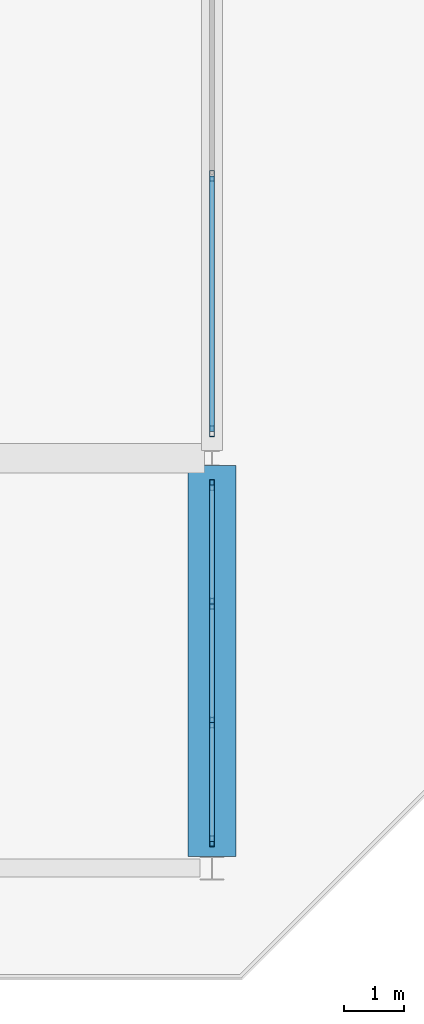
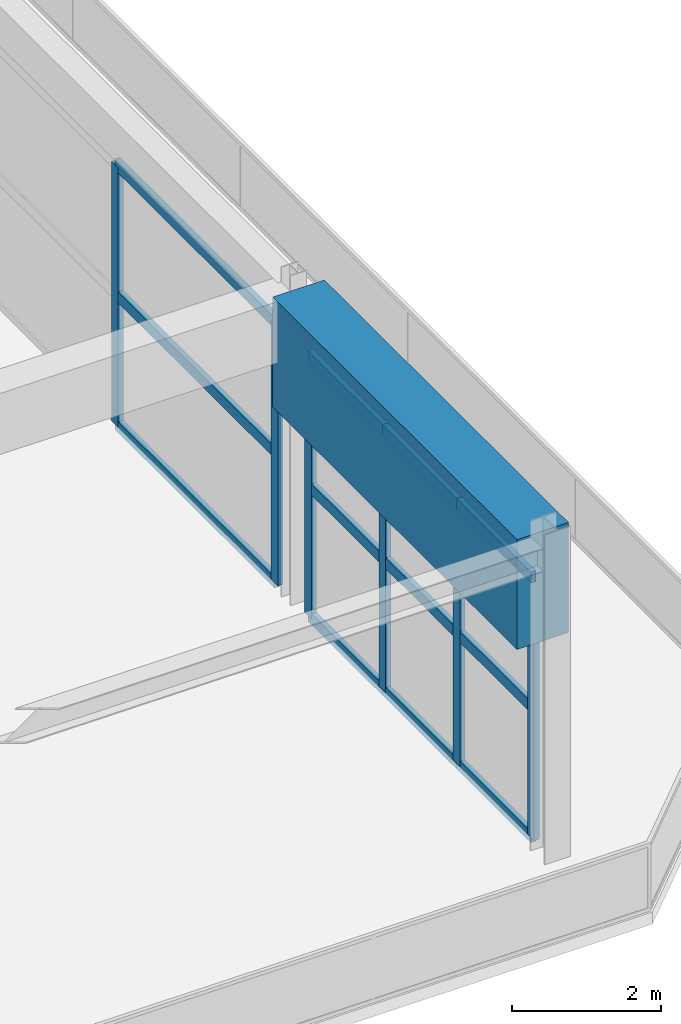
# One storey, part 52 of 117: 18 members, 1 beam, 2 elements without a shape of their own.
"""IFC4 building model written with IfcOpenShell, lengths in metres."""

from ifc_helpers import new_model, si_unit, direction, frame, origin, origin_2d, place, context, subcontext, project, spatial, rectangle, hollow_rectangle, extrude, material, material_profile, profile_set, type_object, element, aggregate, save


model = new_model("IFC4")

# Units and contexts
model_context = context("Model", 3, precision=1e-05, world=origin(), true_north=direction((0.0, 1.0)))
body_context = subcontext(model_context, "Body", "Model", "MODEL_VIEW")
ifc_project = project(units=[si_unit("LENGTHUNIT", "METRE"), si_unit("AREAUNIT", "SQUARE_METRE"), si_unit("VOLUMEUNIT", "CUBIC_METRE"), si_unit("PLANEANGLEUNIT", "RADIAN"), si_unit("MASSUNIT", "GRAM", prefix="KILO")], contexts=[model_context])

# Site, building, storey
site_placement = place(None, origin())
site = spatial("IfcSite", under=ifc_project, at=site_placement, CompositionType="ELEMENT")
building_placement = place(site_placement, origin())
building = spatial("IfcBuilding", under=site, at=building_placement, Name="Linyun Crest Stadium", CompositionType="ELEMENT")
storey_placement = place(building_placement, frame((0.0, 0.0, 6.0)))
storey = spatial("IfcBuildingStorey", under=building, at=storey_placement, Name="L02", CompositionType="ELEMENT", Elevation=6.0)

# Beam
ifc_material_1 = material(Name="Concrete C50", Category="concrete")
ifc_material_profile_1 = material_profile(ifc_material_1, rectangle(XDim=0.800048828125, YDim=1.800048828125, at=origin_2d()), Name="RCB 1800x800")
ifc_profile_set_1 = profile_set([ifc_material_profile_1], Name="Concrete C50")
beam_type = type_object("IfcBeamType", Name="B14", PredefinedType="BEAM", material=ifc_profile_set_1)
beam_placement = place(storey_placement, frame((94.0, -93.925048828125, 4.25), z_axis=(0.0, 1.0, 0.0), x_axis=(-1.0, 0.0, 0.0)))
element("IfcBeam", 1, at=beam_placement, inside=storey, type_object=beam_type, Name="Frame beam B14 L02 1119", PredefinedType="BEAM", context=body_context, shape_type="SweptSolid", body=[
    extrude(rectangle(XDim=0.800048828125, YDim=1.800048828125, at=origin_2d()), origin(), (0.0, 0.0, 1.0), 6.550048828125),
])

# Curtain wall, members
ifc_material_2 = material(Name="Verdigris steel and low-E curtain wall assembly", Category="steel")
curtain_wall_type = type_object("IfcCurtainWallType", Name="MCW05", PredefinedType="NOTDEFINED", material=ifc_material_2)
curtain_wall_1_placement = place(storey_placement, origin())
curtain_wall_1 = element("IfcCurtainWall", 2, at=curtain_wall_1_placement, inside=storey, type_object=curtain_wall_type, Name="CWR-164", PredefinedType="NOTDEFINED")
ifc_material_3 = material(Name="Verdigris painted steel Q355B mullion", Category="steel")
ifc_material_profile_2 = material_profile(ifc_material_3, hollow_rectangle(XDim=0.080078125, YDim=0.179931640625, WallThickness=0.006103515625, at=origin_2d()), Name="RHS 180x80x6")
ifc_profile_set_2 = profile_set([ifc_material_profile_2], Name="Verdigris painted steel Q355B mullion")
member_type_1 = type_object("IfcMemberType", Name="ML02", PredefinedType="MULLION", material=ifc_profile_set_2)
member_1_placement = place(storey_placement, frame((94.0, -93.675048828125, 0.0), z_axis=(0.0, 0.0, 1.0), x_axis=(-1.0, 0.0, 0.0)))
member_1 = element("IfcMember", 3, at=member_1_placement, type_object=member_type_1, Name="CWR-164 mullion 1", PredefinedType="MULLION", context=body_context, shape_type="SweptSolid", body=[
    extrude(hollow_rectangle(XDim=0.080078125, YDim=0.179931640625, WallThickness=0.006103515625, at=origin_2d()), origin(), (0.0, 0.0, 1.0), 4.25),
])
member_2_placement = place(storey_placement, frame((94.0, -91.68310546875, 0.0), z_axis=(0.0, 0.0, 1.0), x_axis=(-1.0, 0.0, 0.0)))
member_2 = element("IfcMember", 4, at=member_2_placement, type_object=member_type_1, Name="CWR-164 mullion 2", PredefinedType="MULLION", context=body_context, shape_type="SweptSolid", body=[
    extrude(hollow_rectangle(XDim=0.080078125, YDim=0.179931640625, WallThickness=0.006103515625, at=origin_2d()), origin(), (0.0, 0.0, 1.0), 4.25),
])
member_3_placement = place(storey_placement, frame((94.0, -89.69189453125, 0.0), z_axis=(0.0, 0.0, 1.0), x_axis=(-1.0, 0.0, 0.0)))
member_3 = element("IfcMember", 5, at=member_3_placement, type_object=member_type_1, Name="CWR-164 mullion 3", PredefinedType="MULLION", context=body_context, shape_type="SweptSolid", body=[
    extrude(hollow_rectangle(XDim=0.080078125, YDim=0.179931640625, WallThickness=0.006103515625, at=origin_2d()), origin(), (0.0, 0.0, 1.0), 4.25),
])
member_4_placement = place(storey_placement, frame((94.0, -87.699951171875, 0.0), z_axis=(0.0, 0.0, 1.0), x_axis=(-1.0, 0.0, 0.0)))
member_4 = element("IfcMember", 6, at=member_4_placement, type_object=member_type_1, Name="CWR-164 mullion 4", PredefinedType="MULLION", context=body_context, shape_type="SweptSolid", body=[
    extrude(hollow_rectangle(XDim=0.080078125, YDim=0.179931640625, WallThickness=0.006103515625, at=origin_2d()), origin(), (0.0, 0.0, 1.0), 4.25),
])

curtain_wall_2_placement = place(storey_placement, origin())
curtain_wall_2 = element("IfcCurtainWall", 7, at=curtain_wall_2_placement, inside=storey, type_object=curtain_wall_type, Name="CWR-165", PredefinedType="NOTDEFINED")
member_5_placement = place(storey_placement, frame((94.0, -86.800048828125, 0.0), z_axis=(0.0, 0.0, 1.0), x_axis=(-1.0, 0.0, 0.0)))
member_5 = element("IfcMember", 8, at=member_5_placement, type_object=member_type_1, Name="CWR-165 mullion 1", PredefinedType="MULLION", context=body_context, shape_type="SweptSolid", body=[
    extrude(hollow_rectangle(XDim=0.080078125, YDim=0.179931640625, WallThickness=0.006103515625, at=origin_2d()), origin(), (0.0, 0.0, 1.0), 4.25),
])
member_6_placement = place(storey_placement, frame((94.0, -82.51708984375, 0.0), z_axis=(0.0, 0.0, 1.0), x_axis=(-1.0, 0.0, 0.0)))
member_6 = element("IfcMember", 9, at=member_6_placement, type_object=member_type_1, Name="CWR-165 mullion 2", PredefinedType="MULLION", context=body_context, shape_type="SweptSolid", body=[
    extrude(hollow_rectangle(XDim=0.080078125, YDim=0.179931640625, WallThickness=0.006103515625, at=origin_2d()), origin(), (0.0, 0.0, 1.0), 4.25),
])

# Member
ifc_material_4 = material(Name="Verdigris painted steel Q355B transom", Category="steel")
ifc_material_profile_3 = material_profile(ifc_material_4, hollow_rectangle(XDim=0.080078125, YDim=0.179931640625, WallThickness=0.006103515625, at=origin_2d()), Name="RHS 180x80x6")
ifc_profile_set_3 = profile_set([ifc_material_profile_3], Name="Verdigris painted steel Q355B transom")
member_type_2 = type_object("IfcMemberType", Name="TR02", PredefinedType="USERDEFINED", material=ifc_profile_set_3)
member_7_placement = place(storey_placement, frame((94.0, -93.675048828125, 0.0), z_axis=(0.0, 1.0, 0.0), x_axis=(-1.0, 0.0, 0.0)))
member_7 = element("IfcMember", 10, at=member_7_placement, type_object=member_type_2, Name="CWR-164 transom 1.1", ObjectType="TRANSOM", PredefinedType="USERDEFINED", context=body_context, shape_type="SweptSolid", body=[
    extrude(hollow_rectangle(XDim=0.080078125, YDim=0.179931640625, WallThickness=0.006103515625, at=origin_2d()), origin(), (0.0, 0.0, 1.0), 1.991943359375),
])

member_8_placement = place(storey_placement, frame((94.0, -93.675048828125, 2.125), z_axis=(0.0, 1.0, 0.0), x_axis=(-1.0, 0.0, 0.0)))
member_8 = element("IfcMember", 11, at=member_8_placement, type_object=member_type_2, Name="CWR-164 transom 1.2", ObjectType="TRANSOM", PredefinedType="USERDEFINED", context=body_context, shape_type="SweptSolid", body=[
    extrude(hollow_rectangle(XDim=0.080078125, YDim=0.179931640625, WallThickness=0.006103515625, at=origin_2d()), origin(), (0.0, 0.0, 1.0), 1.991943359375),
])

member_9_placement = place(storey_placement, frame((94.0, -93.675048828125, 4.25), z_axis=(0.0, 1.0, 0.0), x_axis=(-1.0, 0.0, 0.0)))
member_9 = element("IfcMember", 12, at=member_9_placement, type_object=member_type_2, Name="CWR-164 transom 1.3", ObjectType="TRANSOM", PredefinedType="USERDEFINED", context=body_context, shape_type="SweptSolid", body=[
    extrude(hollow_rectangle(XDim=0.080078125, YDim=0.179931640625, WallThickness=0.006103515625, at=origin_2d()), origin(), (0.0, 0.0, 1.0), 1.991943359375),
])

member_10_placement = place(storey_placement, frame((94.0, -91.68310546875, 0.0), z_axis=(0.0, 1.0, 0.0), x_axis=(-1.0, 0.0, 0.0)))
member_10 = element("IfcMember", 13, at=member_10_placement, type_object=member_type_2, Name="CWR-164 transom 2.1", ObjectType="TRANSOM", PredefinedType="USERDEFINED", context=body_context, shape_type="SweptSolid", body=[
    extrude(hollow_rectangle(XDim=0.080078125, YDim=0.179931640625, WallThickness=0.006103515625, at=origin_2d()), origin(), (0.0, 0.0, 1.0), 1.9912109375),
])

member_11_placement = place(storey_placement, frame((94.0, -91.68310546875, 2.125), z_axis=(0.0, 1.0, 0.0), x_axis=(-1.0, 0.0, 0.0)))
member_11 = element("IfcMember", 14, at=member_11_placement, type_object=member_type_2, Name="CWR-164 transom 2.2", ObjectType="TRANSOM", PredefinedType="USERDEFINED", context=body_context, shape_type="SweptSolid", body=[
    extrude(hollow_rectangle(XDim=0.080078125, YDim=0.179931640625, WallThickness=0.006103515625, at=origin_2d()), origin(), (0.0, 0.0, 1.0), 1.9912109375),
])

member_12_placement = place(storey_placement, frame((94.0, -91.68310546875, 4.25), z_axis=(0.0, 1.0, 0.0), x_axis=(-1.0, 0.0, 0.0)))
member_12 = element("IfcMember", 15, at=member_12_placement, type_object=member_type_2, Name="CWR-164 transom 2.3", ObjectType="TRANSOM", PredefinedType="USERDEFINED", context=body_context, shape_type="SweptSolid", body=[
    extrude(hollow_rectangle(XDim=0.080078125, YDim=0.179931640625, WallThickness=0.006103515625, at=origin_2d()), origin(), (0.0, 0.0, 1.0), 1.9912109375),
])

member_13_placement = place(storey_placement, frame((94.0, -89.69189453125, 0.0), z_axis=(0.0, 1.0, 0.0), x_axis=(-1.0, 0.0, 0.0)))
member_13 = element("IfcMember", 16, at=member_13_placement, type_object=member_type_2, Name="CWR-164 transom 3.1", ObjectType="TRANSOM", PredefinedType="USERDEFINED", context=body_context, shape_type="SweptSolid", body=[
    extrude(hollow_rectangle(XDim=0.080078125, YDim=0.179931640625, WallThickness=0.006103515625, at=origin_2d()), origin(), (0.0, 0.0, 1.0), 1.991943359375),
])

member_14_placement = place(storey_placement, frame((94.0, -89.69189453125, 2.125), z_axis=(0.0, 1.0, 0.0), x_axis=(-1.0, 0.0, 0.0)))
member_14 = element("IfcMember", 17, at=member_14_placement, type_object=member_type_2, Name="CWR-164 transom 3.2", ObjectType="TRANSOM", PredefinedType="USERDEFINED", context=body_context, shape_type="SweptSolid", body=[
    extrude(hollow_rectangle(XDim=0.080078125, YDim=0.179931640625, WallThickness=0.006103515625, at=origin_2d()), origin(), (0.0, 0.0, 1.0), 1.991943359375),
])

member_15_placement = place(storey_placement, frame((94.0, -89.69189453125, 4.25), z_axis=(0.0, 1.0, 0.0), x_axis=(-1.0, 0.0, 0.0)))
member_15 = element("IfcMember", 18, at=member_15_placement, type_object=member_type_2, Name="CWR-164 transom 3.3", ObjectType="TRANSOM", PredefinedType="USERDEFINED", context=body_context, shape_type="SweptSolid", body=[
    extrude(hollow_rectangle(XDim=0.080078125, YDim=0.179931640625, WallThickness=0.006103515625, at=origin_2d()), origin(), (0.0, 0.0, 1.0), 1.991943359375),
])

aggregate(curtain_wall_1, [member_1, member_2, member_3, member_4, member_7, member_8, member_9, member_10, member_11, member_12, member_13, member_14, member_15])

member_16_placement = place(storey_placement, frame((94.0, -86.800048828125, 0.0), z_axis=(0.0, 1.0, 0.0), x_axis=(-1.0, 0.0, 0.0)))
member_16 = element("IfcMember", 19, at=member_16_placement, type_object=member_type_2, Name="CWR-165 transom 1.1", ObjectType="TRANSOM", PredefinedType="USERDEFINED", context=body_context, shape_type="SweptSolid", body=[
    extrude(hollow_rectangle(XDim=0.080078125, YDim=0.179931640625, WallThickness=0.006103515625, at=origin_2d()), origin(), (0.0, 0.0, 1.0), 4.282958984375),
])

member_17_placement = place(storey_placement, frame((94.0, -86.800048828125, 2.125), z_axis=(0.0, 1.0, 0.0), x_axis=(-1.0, 0.0, 0.0)))
member_17 = element("IfcMember", 20, at=member_17_placement, type_object=member_type_2, Name="CWR-165 transom 1.2", ObjectType="TRANSOM", PredefinedType="USERDEFINED", context=body_context, shape_type="SweptSolid", body=[
    extrude(hollow_rectangle(XDim=0.080078125, YDim=0.179931640625, WallThickness=0.006103515625, at=origin_2d()), origin(), (0.0, 0.0, 1.0), 4.282958984375),
])

member_18_placement = place(storey_placement, frame((94.0, -86.800048828125, 4.25), z_axis=(0.0, 1.0, 0.0), x_axis=(-1.0, 0.0, 0.0)))
member_18 = element("IfcMember", 21, at=member_18_placement, type_object=member_type_2, Name="CWR-165 transom 1.3", ObjectType="TRANSOM", PredefinedType="USERDEFINED", context=body_context, shape_type="SweptSolid", body=[
    extrude(hollow_rectangle(XDim=0.080078125, YDim=0.179931640625, WallThickness=0.006103515625, at=origin_2d()), origin(), (0.0, 0.0, 1.0), 4.282958984375),
])

aggregate(curtain_wall_2, [member_5, member_6, member_16, member_17, member_18])

save(model, "model.ifc")
